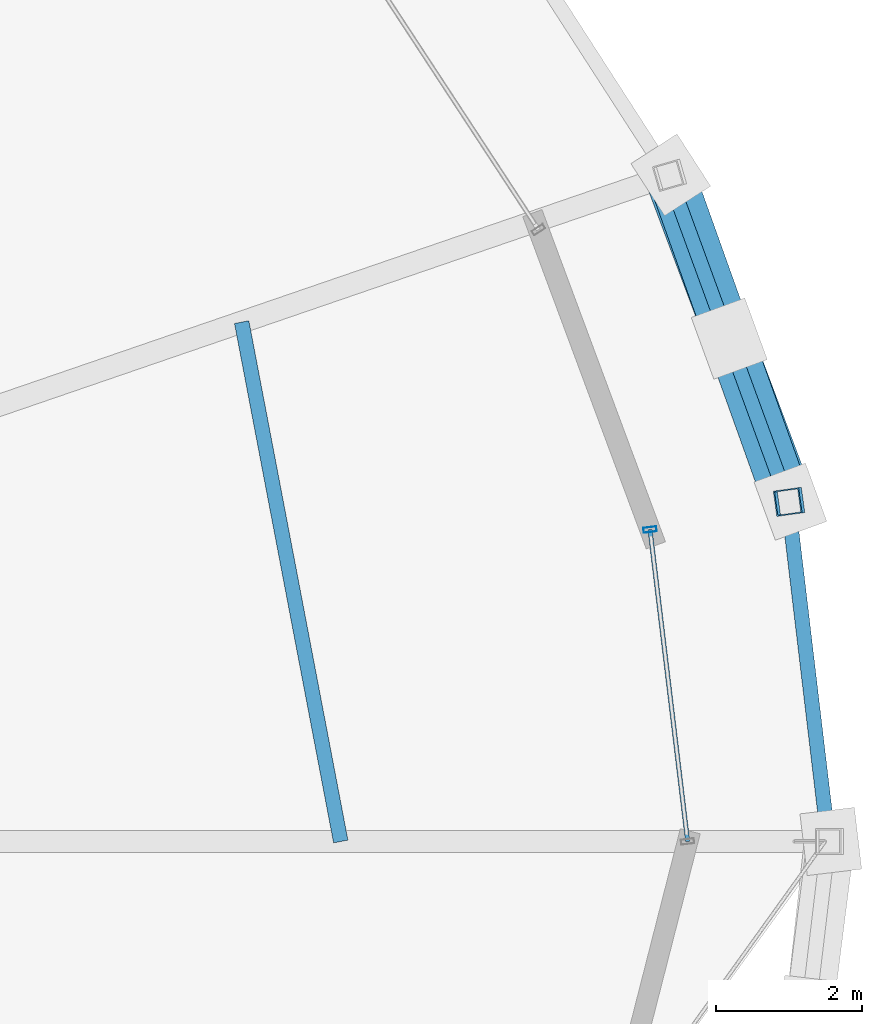
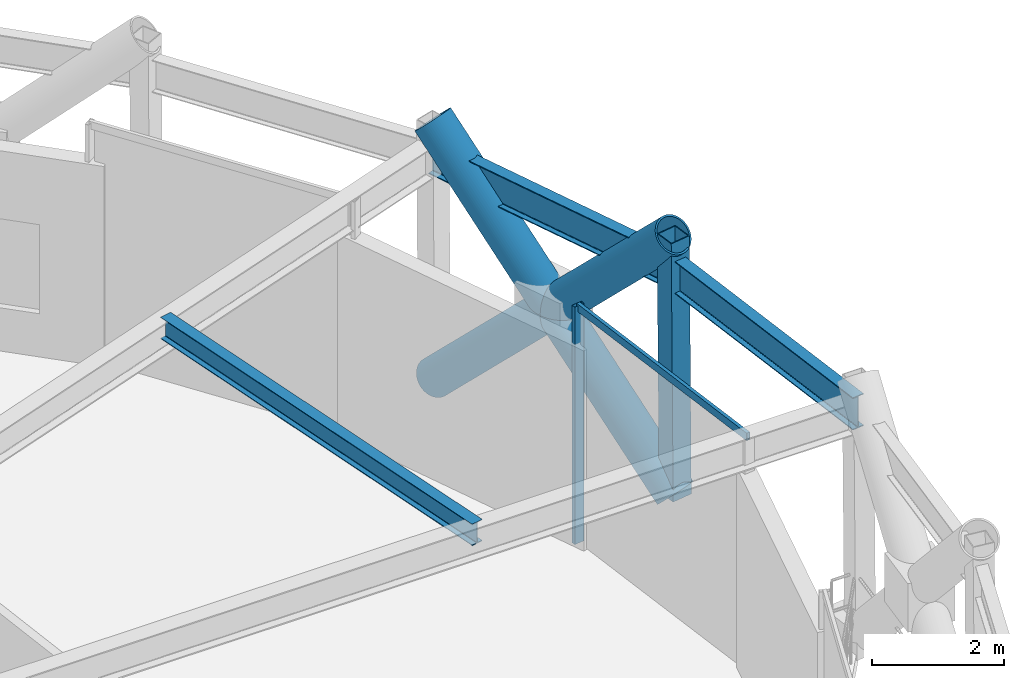
# One storey, part 20 of 39: 6 members, 3 beams, 1 element without a shape of its own.
"""IFC4 building model written with IfcOpenShell, lengths in metres."""

from ifc_helpers import new_model, si_unit, direction, frame, origin, origin_2d, place, context, subcontext, project, spatial, hollow_rectangle, hollow_circle, i_section, extrude, material, layer, layer_set, material_profile, profile_set, type_object, element, aggregate, save


model = new_model("IFC4")

# Units and contexts
model_context = context("Model", 3, precision=1e-05, world=origin(), true_north=direction((0.0, 1.0)))
body_context = subcontext(model_context, "Body", "Model", "MODEL_VIEW")
ifc_project = project(units=[si_unit("LENGTHUNIT", "METRE"), si_unit("AREAUNIT", "SQUARE_METRE"), si_unit("VOLUMEUNIT", "CUBIC_METRE"), si_unit("PLANEANGLEUNIT", "RADIAN"), si_unit("MASSUNIT", "GRAM", prefix="KILO")], contexts=[model_context])

# Site, building, storey
site_placement = place(None, origin())
site = spatial("IfcSite", under=ifc_project, at=site_placement, CompositionType="ELEMENT")
building_placement = place(site_placement, origin())
building = spatial("IfcBuilding", under=site, at=building_placement, Name="Veldorina Hangang Commons", CompositionType="ELEMENT")
storey_placement = place(building_placement, frame((0.0, 0.0, 106.0)))
storey = spatial("IfcBuildingStorey", under=building, at=storey_placement, Name="L27", CompositionType="ELEMENT", Elevation=106.0)

# Beams
ifc_material_1 = material(Name="Steel SM355-TMC", Category="steel")
ifc_material_profile_1 = material_profile(ifc_material_1, i_section(OverallWidth=0.199951171875, OverallDepth=0.39990234375, WebThickness=0.008056640625, FlangeThickness=0.012939453125, FilletRadius=0.012939453125, at=origin_2d()), Name="H-400x200x8x13")
ifc_profile_set_1 = profile_set([ifc_material_profile_1], Name="Steel SM355-TMC")
beam_type_1 = type_object("IfcBeamType", Name="BM-JST400", PredefinedType="JOIST", material=ifc_profile_set_1)
beam_1_placement = place(storey_placement, frame((54.073486328125, 24.0, 4.239990234375), z_axis=(-0.187404990321, 0.982282734045, 0.0), x_axis=(-0.982282734045, -0.187404990321, 0.0)))
element("IfcBeam", 1, at=beam_1_placement, inside=storey, type_object=beam_type_1, Name="L27 secondary floor joist 01", PredefinedType="JOIST", context=body_context, shape_type="SweptSolid", body=[
    extrude(i_section(OverallWidth=0.199951171875, OverallDepth=0.39990234375, WebThickness=0.008056640625, FlangeThickness=0.012939453125, FilletRadius=0.012939453125, at=origin_2d()), origin(), (0.0, 0.0, 1.0), 7.2392578125),
])
ifc_material_2 = material(Name="Steel SM420-TMC", Category="steel")
ifc_material_profile_2 = material_profile(ifc_material_2, i_section(OverallWidth=0.199951171875, OverallDepth=0.60009765625, WebThickness=0.010986328125, FlangeThickness=0.01708984375, FilletRadius=0.01806640625, at=origin_2d()), Name="H-600x200x11x17")
ifc_profile_set_2 = profile_set([ifc_material_profile_2], Name="Steel SM420-TMC")
beam_type_2 = type_object("IfcBeamType", Name="BM-RB600", PredefinedType="BEAM", material=ifc_profile_set_2)
beam_2_placement = place(storey_placement, frame((60.75048828125, 24.0, 4.139892578125), z_axis=(-0.118030441643, 0.993009977214, 0.0), x_axis=(-0.993009977214, -0.118030441643, 0.0)))
element("IfcBeam", 2, at=beam_2_placement, inside=storey, type_object=beam_type_2, Name="L27 perimeter hoop ring beam 00", PredefinedType="BEAM", context=body_context, shape_type="SweptSolid", body=[
    extrude(i_section(OverallWidth=0.199951171875, OverallDepth=0.60009765625, WebThickness=0.010986328125, FlangeThickness=0.01708984375, FilletRadius=0.01806640625, at=origin_2d()), origin(), (0.0, 0.0, 1.0), 4.680908203125),
])
beam_3_placement = place(storey_placement, frame((60.197998046875, 28.648193359375, 4.139892578125), z_axis=(-0.343748150279, 0.939061877184, 0.0), x_axis=(-0.939061877184, -0.343748150279, 0.0)))
element("IfcBeam", 3, at=beam_3_placement, inside=storey, type_object=beam_type_2, Name="L27 perimeter hoop ring beam 01", PredefinedType="BEAM", context=body_context, shape_type="SweptSolid", body=[
    extrude(i_section(OverallWidth=0.199951171875, OverallDepth=0.60009765625, WebThickness=0.010986328125, FlangeThickness=0.01708984375, FilletRadius=0.01806640625, at=origin_2d()), origin(), (0.0, 0.0, 1.0), 4.75927734375),
])

# Curtain wall, members
ifc_material_3 = material(Name="Glass Acoustic Laminated", Category="glass")
ifc_layer = layer(ifc_material_3, 0.179931640625)
ifc_layer_set = layer_set([ifc_layer], Name="Glass Acoustic Laminated")
curtain_wall_type = type_object("IfcCurtainWallType", Name="CW-SYS-SKY", PredefinedType="NOTDEFINED", material=ifc_layer_set)
curtain_wall_placement = place(storey_placement, origin())
curtain_wall = element("IfcCurtainWall", 4, at=curtain_wall_placement, inside=storey, type_object=curtain_wall_type, Name="L27 unitised curtain wall CW-L27-R1", PredefinedType="NOTDEFINED")
ifc_material_4 = material(Name="Aluminium Anodized AA6063-T6", Category="aluminium")
ifc_material_profile_3 = material_profile(ifc_material_4, hollow_rectangle(XDim=0.070068359375, YDim=0.179931640625, WallThickness=0.00390625, at=origin_2d()), Name="ALU-RHS-180x70x4")
ifc_profile_set_3 = profile_set([ifc_material_profile_3], Name="Aluminium Anodized AA6063-T6")
member_type_1 = type_object("IfcMemberType", Name="CW-MUL-180", PredefinedType="MULLION", material=ifc_profile_set_3)
member_1_placement = place(storey_placement, frame((58.3076171875, 28.270263671875, 0.0), z_axis=(0.0, 0.0, 1.0), x_axis=(0.119824948994, -0.992795035039, 0.0)))
member_1 = element("IfcMember", 5, at=member_1_placement, type_object=member_type_1, Name="CW-L27-R1 vertical mullion 2", PredefinedType="MULLION", context=body_context, shape_type="SweptSolid", body=[
    extrude(hollow_rectangle(XDim=0.070068359375, YDim=0.179931640625, WallThickness=0.00390625, at=origin_2d()), origin(), (0.0, 0.0, 1.0), 4.39990234375),
])
ifc_material_profile_4 = material_profile(ifc_material_4, hollow_rectangle(XDim=0.06005859375, YDim=0.139892578125, WallThickness=0.00341796875, at=origin_2d()), Name="ALU-RHS-140x60x3.5")
ifc_profile_set_4 = profile_set([ifc_material_profile_4], Name="Aluminium Anodized AA6063-T6")
member_type_2 = type_object("IfcMemberType", Name="CW-TRN-140", PredefinedType="USERDEFINED", material=ifc_profile_set_4)
member_2_placement = place(storey_placement, frame((58.822998046875, 24.0, 4.360107421875), z_axis=(-0.119821124768, 0.992795496595, 0.0), x_axis=(-0.992795496595, -0.119821124768, 0.0)))
member_2 = element("IfcMember", 6, at=member_2_placement, type_object=member_type_2, Name="CW-L27-R1 facet 1 transom 1", ObjectType="TRANSOM", PredefinedType="USERDEFINED", context=body_context, shape_type="SweptSolid", body=[
    extrude(hollow_rectangle(XDim=0.06005859375, YDim=0.139892578125, WallThickness=0.00341796875, at=origin_2d()), origin(), (0.0, 0.0, 1.0), 4.30126953125),
])
aggregate(curtain_wall, [member_1, member_2])

# Members
ifc_material_5 = material(Name="Steel SM460-TMC", Category="steel")
ifc_material_profile_5 = material_profile(ifc_material_5, hollow_circle(Radius=0.324951171875, WallThickness=0.031982421875, at=origin_2d()), Name="CHS-650x32")
ifc_profile_set_5 = profile_set([ifc_material_profile_5], Name="Steel SM460-TMC")
member_type_3 = type_object("IfcMemberType", Name="DG-CHS650", PredefinedType="BRACE", material=ifc_profile_set_5)
member_3_placement = place(storey_placement, frame((60.229736328125, 28.652587890625, 0.0), z_axis=(-0.247252931705, 0.659834381894, 0.709566470624), x_axis=(-0.936415447811, -0.350893301589, 0.0)))
element("IfcMember", 7, at=member_3_placement, inside=storey, type_object=member_type_3, Name="L27 continuous perimeter diagrid brace 01", PredefinedType="BRACE", context=body_context, shape_type="SweptSolid", body=[
    extrude(hollow_circle(Radius=0.324951171875, WallThickness=0.031982421875, at=origin_2d()), origin(), (0.0, 0.0, 1.0), 6.7646484375),
])
member_4_placement = place(storey_placement, frame((58.591796875, 33.126220703125, 0.0), z_axis=(0.237009766751, -0.66278965242, 0.710307149837), x_axis=(0.941607210617, 0.336713321557, 0.0)))
element("IfcMember", 8, at=member_4_placement, inside=storey, type_object=member_type_3, Name="L27 split perimeter diagrid lower brace 02", PredefinedType="BRACE", context=body_context, shape_type="SweptSolid", body=[
    extrude(hollow_circle(Radius=0.324951171875, WallThickness=0.031982421875, at=origin_2d()), origin(), (0.0, 0.0, 1.0), 3.380859375),
])
member_5_placement = place(storey_placement, frame((59.39306640625, 30.885498046875, 2.4013671875), z_axis=(0.236859149405, -0.662786270634, 0.710360544232), x_axis=(0.94167449433, 0.336525105643, 0.0)))
element("IfcMember", 9, at=member_5_placement, inside=storey, type_object=member_type_3, Name="L27 split perimeter diagrid upper brace 02", PredefinedType="BRACE", context=body_context, shape_type="SweptSolid", body=[
    extrude(hollow_circle(Radius=0.324951171875, WallThickness=0.031982421875, at=origin_2d()), origin(), (0.0, 0.0, 1.0), 3.376708984375),
])
ifc_material_profile_6 = material_profile(ifc_material_1, hollow_rectangle(XDim=0.35009765625, YDim=0.35009765625, WallThickness=0.01611328125, at=origin_2d()), Name="SHS-350x350x16")
ifc_profile_set_6 = profile_set([ifc_material_profile_6], Name="Steel SM355-TMC")
member_type_4 = type_object("IfcMemberType", Name="STR-SHS350", PredefinedType="STRUT", material=ifc_profile_set_6)
member_6_placement = place(storey_placement, frame((60.229736328125, 28.652587890625, 0.0), z_axis=(-0.007679948156, -0.00106807226, 0.999969938357), x_axis=(0.137747125984, -0.990467429693, 0.0)))
element("IfcMember", 10, at=member_6_placement, inside=storey, type_object=member_type_4, Name="L27 perimeter ring node post 01", PredefinedType="STRUT", context=body_context, shape_type="SweptSolid", body=[
    extrude(hollow_rectangle(XDim=0.35009765625, YDim=0.35009765625, WallThickness=0.01611328125, at=origin_2d()), origin(), (0.0, 0.0, 1.0), 4.80029296875),
])

save(model, "model.ifc")
